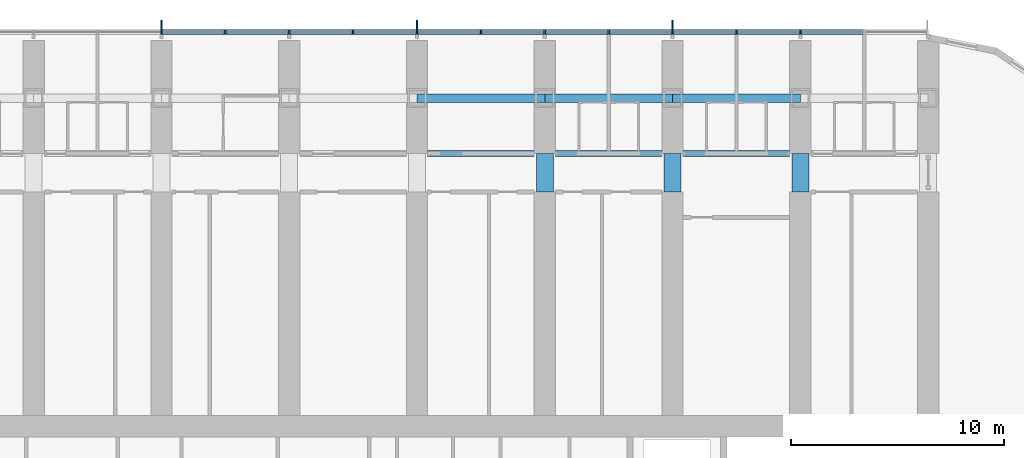
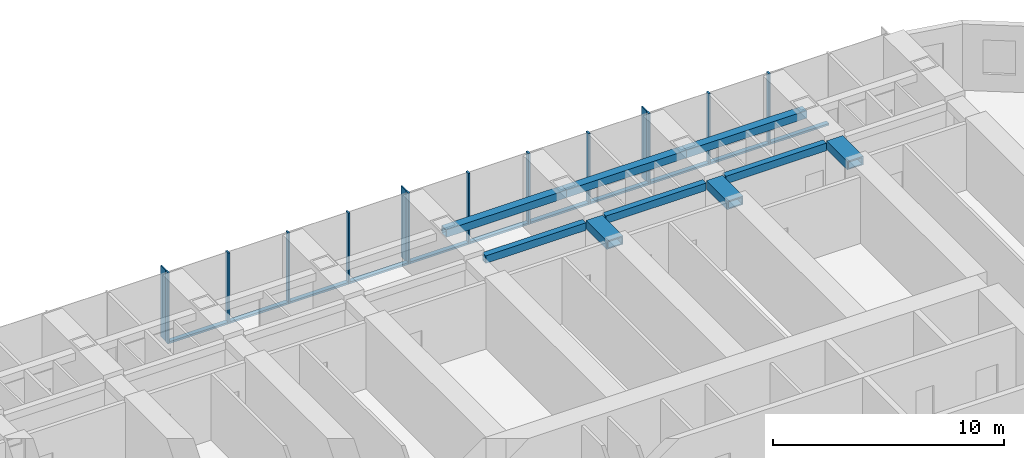
# One storey, part 5 of 25: 25 members, 9 beams, 1 element without a shape of its own.
"""IFC4 building model written with IfcOpenShell, lengths in metres."""

from ifc_helpers import new_model, si_unit, direction, frame, origin, origin_2d, place, context, subcontext, project, spatial, rectangle, hollow_rectangle, extrude, material, material_profile, profile_set, type_object, element, aggregate, save


model = new_model("IFC4")

# Units and contexts
model_context = context("Model", 3, precision=1e-05, world=origin(), true_north=direction((0.0, 1.0)))
body_context = subcontext(model_context, "Body", "Model", "MODEL_VIEW")
ifc_project = project(units=[si_unit("LENGTHUNIT", "METRE"), si_unit("AREAUNIT", "SQUARE_METRE"), si_unit("VOLUMEUNIT", "CUBIC_METRE"), si_unit("PLANEANGLEUNIT", "RADIAN"), si_unit("MASSUNIT", "GRAM", prefix="KILO")], contexts=[model_context])

# Site, building, storey
site_placement = place(None, origin())
site = spatial("IfcSite", under=ifc_project, at=site_placement, CompositionType="ELEMENT")
building_placement = place(site_placement, origin())
building = spatial("IfcBuilding", under=site, at=building_placement, Name="Orbita Commons", CompositionType="ELEMENT")
storey_placement = place(building_placement, frame((0.0, 0.0, 31.449951171875)))
storey = spatial("IfcBuildingStorey", under=building, at=storey_placement, Name="L07", CompositionType="ELEMENT", Elevation=31.449951171875)

# Curtain wall, members
ifc_material_1 = material(Name="Anodised aluminium frame, pale silver", Category="aluminium")
curtain_wall_type = type_object("IfcCurtainWallType", Name="Unitised curtain wall CW-T, vision and spandrel", PredefinedType="NOTDEFINED", material=ifc_material_1)
curtain_wall_placement = place(storey_placement, origin())
curtain_wall = element("IfcCurtainWall", 1, at=curtain_wall_placement, inside=storey, type_object=curtain_wall_type, Name="Curtain wall north L07", PredefinedType="NOTDEFINED")
ifc_material_2 = material(Name="Anodised aluminium, pale silver", Category="aluminium")
ifc_material_profile_1 = material_profile(ifc_material_2, rectangle(XDim=0.080078125, YDim=0.219970703125, at=origin_2d()), Name="AL 80x220")
ifc_profile_set_1 = profile_set([ifc_material_profile_1], Name="Anodised aluminium, pale silver")
member_type_1 = type_object("IfcMemberType", Name="Curtain wall mullion 80x220", PredefinedType="MULLION", material=ifc_profile_set_1)
member_1_placement = place(storey_placement, frame((66.0, 56.7099609375, -0.25), z_axis=(0.0, 0.0, 1.0), x_axis=(-1.0, 0.0, 0.0)))
member_1 = element("IfcMember", 2, at=member_1_placement, type_object=member_type_1, Name="Mullion 3 CW-L07-N", PredefinedType="MULLION", context=body_context, shape_type="SweptSolid", body=[
    extrude(rectangle(XDim=0.080078125, YDim=0.219970703125, at=origin_2d()), origin(), (0.0, 0.0, 1.0), 3.75),
])
member_2_placement = place(storey_placement, frame((63.0, 56.7099609375, -0.25), z_axis=(0.0, 0.0, 1.0), x_axis=(-1.0, 0.0, 0.0)))
member_2 = element("IfcMember", 3, at=member_2_placement, type_object=member_type_1, Name="Mullion 4 CW-L07-N", PredefinedType="MULLION", context=body_context, shape_type="SweptSolid", body=[
    extrude(rectangle(XDim=0.080078125, YDim=0.219970703125, at=origin_2d()), origin(), (0.0, 0.0, 1.0), 3.75),
])
member_3_placement = place(storey_placement, frame((60.0, 56.7099609375, -0.25), z_axis=(0.0, 0.0, 1.0), x_axis=(-1.0, 0.0, 0.0)))
member_3 = element("IfcMember", 4, at=member_3_placement, type_object=member_type_1, Name="Mullion 5 CW-L07-N", PredefinedType="MULLION", context=body_context, shape_type="SweptSolid", body=[
    extrude(rectangle(XDim=0.080078125, YDim=0.219970703125, at=origin_2d()), origin(), (0.0, 0.0, 1.0), 3.75),
])
member_4_placement = place(storey_placement, frame((57.0, 56.7099609375, -0.25), z_axis=(0.0, 0.0, 1.0), x_axis=(-1.0, 0.0, 0.0)))
member_4 = element("IfcMember", 5, at=member_4_placement, type_object=member_type_1, Name="Mullion 6 CW-L07-N", PredefinedType="MULLION", context=body_context, shape_type="SweptSolid", body=[
    extrude(rectangle(XDim=0.080078125, YDim=0.219970703125, at=origin_2d()), origin(), (0.0, 0.0, 1.0), 3.75),
])
member_5_placement = place(storey_placement, frame((54.0, 56.7099609375, -0.25), z_axis=(0.0, 0.0, 1.0), x_axis=(-1.0, 0.0, 0.0)))
member_5 = element("IfcMember", 6, at=member_5_placement, type_object=member_type_1, Name="Mullion 7 CW-L07-N", PredefinedType="MULLION", context=body_context, shape_type="SweptSolid", body=[
    extrude(rectangle(XDim=0.080078125, YDim=0.219970703125, at=origin_2d()), origin(), (0.0, 0.0, 1.0), 3.75),
])
member_6_placement = place(storey_placement, frame((51.0, 56.7099609375, -0.25), z_axis=(0.0, 0.0, 1.0), x_axis=(-1.0, 0.0, 0.0)))
member_6 = element("IfcMember", 7, at=member_6_placement, type_object=member_type_1, Name="Mullion 8 CW-L07-N", PredefinedType="MULLION", context=body_context, shape_type="SweptSolid", body=[
    extrude(rectangle(XDim=0.080078125, YDim=0.219970703125, at=origin_2d()), origin(), (0.0, 0.0, 1.0), 3.75),
])
member_7_placement = place(storey_placement, frame((48.0, 56.7099609375, -0.25), z_axis=(0.0, 0.0, 1.0), x_axis=(-1.0, 0.0, 0.0)))
member_7 = element("IfcMember", 8, at=member_7_placement, type_object=member_type_1, Name="Mullion 9 CW-L07-N", PredefinedType="MULLION", context=body_context, shape_type="SweptSolid", body=[
    extrude(rectangle(XDim=0.080078125, YDim=0.219970703125, at=origin_2d()), origin(), (0.0, 0.0, 1.0), 3.75),
])
member_8_placement = place(storey_placement, frame((45.0, 56.7099609375, -0.25), z_axis=(0.0, 0.0, 1.0), x_axis=(-1.0, 0.0, 0.0)))
member_8 = element("IfcMember", 9, at=member_8_placement, type_object=member_type_1, Name="Mullion 10 CW-L07-N", PredefinedType="MULLION", context=body_context, shape_type="SweptSolid", body=[
    extrude(rectangle(XDim=0.080078125, YDim=0.219970703125, at=origin_2d()), origin(), (0.0, 0.0, 1.0), 3.75),
])
member_9_placement = place(storey_placement, frame((42.0, 56.7099609375, -0.25), z_axis=(0.0, 0.0, 1.0), x_axis=(-1.0, 0.0, 0.0)))
member_9 = element("IfcMember", 10, at=member_9_placement, type_object=member_type_1, Name="Mullion 11 CW-L07-N", PredefinedType="MULLION", context=body_context, shape_type="SweptSolid", body=[
    extrude(rectangle(XDim=0.080078125, YDim=0.219970703125, at=origin_2d()), origin(), (0.0, 0.0, 1.0), 3.75),
])
member_10_placement = place(storey_placement, frame((39.0, 56.7099609375, -0.25), z_axis=(0.0, 0.0, 1.0), x_axis=(-1.0, 0.0, 0.0)))
member_10 = element("IfcMember", 11, at=member_10_placement, type_object=member_type_1, Name="Mullion 12 CW-L07-N", PredefinedType="MULLION", context=body_context, shape_type="SweptSolid", body=[
    extrude(rectangle(XDim=0.080078125, YDim=0.219970703125, at=origin_2d()), origin(), (0.0, 0.0, 1.0), 3.75),
])
member_11_placement = place(storey_placement, frame((36.0, 56.7099609375, -0.25), z_axis=(0.0, 0.0, 1.0), x_axis=(-1.0, 0.0, 0.0)))
member_11 = element("IfcMember", 12, at=member_11_placement, type_object=member_type_1, Name="Mullion 13 CW-L07-N", PredefinedType="MULLION", context=body_context, shape_type="SweptSolid", body=[
    extrude(rectangle(XDim=0.080078125, YDim=0.219970703125, at=origin_2d()), origin(), (0.0, 0.0, 1.0), 3.75),
])
ifc_material_3 = material(Name="Anodised aluminium, pale silver", Category="aluminium")
ifc_material_profile_2 = material_profile(ifc_material_3, rectangle(XDim=0.219970703125, YDim=0.10009765625, at=origin_2d()), Name="AL 220x100")
ifc_profile_set_2 = profile_set([ifc_material_profile_2], Name="Anodised aluminium, pale silver")
member_type_2 = type_object("IfcMemberType", Name="Curtain wall stack transom 220x100", PredefinedType="USERDEFINED", material=ifc_profile_set_2)
member_12_placement = place(storey_placement, frame((68.9599609375, 56.7099609375, -0.199951171875), z_axis=(-1.0, 0.0, 0.0), x_axis=(0.0, -1.0, 0.0)))
member_12 = element("IfcMember", 13, at=member_12_placement, type_object=member_type_2, Name="Transom 2.1 CW-L07-N", ObjectType="TRANSOM", PredefinedType="USERDEFINED", context=body_context, shape_type="SweptSolid", body=[
    extrude(rectangle(XDim=0.219970703125, YDim=0.10009765625, at=origin_2d()), origin(), (0.0, 0.0, 1.0), 2.919921875),
])
member_13_placement = place(storey_placement, frame((65.9599609375, 56.7099609375, -0.199951171875), z_axis=(-1.0, 0.0, 0.0), x_axis=(0.0, -1.0, 0.0)))
member_13 = element("IfcMember", 14, at=member_13_placement, type_object=member_type_2, Name="Transom 3.1 CW-L07-N", ObjectType="TRANSOM", PredefinedType="USERDEFINED", context=body_context, shape_type="SweptSolid", body=[
    extrude(rectangle(XDim=0.219970703125, YDim=0.10009765625, at=origin_2d()), origin(), (0.0, 0.0, 1.0), 2.919921875),
])
member_14_placement = place(storey_placement, frame((62.9599609375, 56.7099609375, -0.199951171875), z_axis=(-1.0, 0.0, 0.0), x_axis=(0.0, -1.0, 0.0)))
member_14 = element("IfcMember", 15, at=member_14_placement, type_object=member_type_2, Name="Transom 4.1 CW-L07-N", ObjectType="TRANSOM", PredefinedType="USERDEFINED", context=body_context, shape_type="SweptSolid", body=[
    extrude(rectangle(XDim=0.219970703125, YDim=0.10009765625, at=origin_2d()), origin(), (0.0, 0.0, 1.0), 2.919921875),
])
member_15_placement = place(storey_placement, frame((59.9599609375, 56.7099609375, -0.199951171875), z_axis=(-1.0, 0.0, 0.0), x_axis=(0.0, -1.0, 0.0)))
member_15 = element("IfcMember", 16, at=member_15_placement, type_object=member_type_2, Name="Transom 5.1 CW-L07-N", ObjectType="TRANSOM", PredefinedType="USERDEFINED", context=body_context, shape_type="SweptSolid", body=[
    extrude(rectangle(XDim=0.219970703125, YDim=0.10009765625, at=origin_2d()), origin(), (0.0, 0.0, 1.0), 2.919921875),
])
member_16_placement = place(storey_placement, frame((56.9599609375, 56.7099609375, -0.199951171875), z_axis=(-1.0, 0.0, 0.0), x_axis=(0.0, -1.0, 0.0)))
member_16 = element("IfcMember", 17, at=member_16_placement, type_object=member_type_2, Name="Transom 6.1 CW-L07-N", ObjectType="TRANSOM", PredefinedType="USERDEFINED", context=body_context, shape_type="SweptSolid", body=[
    extrude(rectangle(XDim=0.219970703125, YDim=0.10009765625, at=origin_2d()), origin(), (0.0, 0.0, 1.0), 2.919921875),
])
member_17_placement = place(storey_placement, frame((53.9599609375, 56.7099609375, -0.199951171875), z_axis=(-1.0, 0.0, 0.0), x_axis=(0.0, -1.0, 0.0)))
member_17 = element("IfcMember", 18, at=member_17_placement, type_object=member_type_2, Name="Transom 7.1 CW-L07-N", ObjectType="TRANSOM", PredefinedType="USERDEFINED", context=body_context, shape_type="SweptSolid", body=[
    extrude(rectangle(XDim=0.219970703125, YDim=0.10009765625, at=origin_2d()), origin(), (0.0, 0.0, 1.0), 2.919921875),
])
member_18_placement = place(storey_placement, frame((50.9599609375, 56.7099609375, -0.199951171875), z_axis=(-1.0, 0.0, 0.0), x_axis=(0.0, -1.0, 0.0)))
member_18 = element("IfcMember", 19, at=member_18_placement, type_object=member_type_2, Name="Transom 8.1 CW-L07-N", ObjectType="TRANSOM", PredefinedType="USERDEFINED", context=body_context, shape_type="SweptSolid", body=[
    extrude(rectangle(XDim=0.219970703125, YDim=0.10009765625, at=origin_2d()), origin(), (0.0, 0.0, 1.0), 2.919921875),
])
member_19_placement = place(storey_placement, frame((47.9599609375, 56.7099609375, -0.199951171875), z_axis=(-1.0, 0.0, 0.0), x_axis=(0.0, -1.0, 0.0)))
member_19 = element("IfcMember", 20, at=member_19_placement, type_object=member_type_2, Name="Transom 9.1 CW-L07-N", ObjectType="TRANSOM", PredefinedType="USERDEFINED", context=body_context, shape_type="SweptSolid", body=[
    extrude(rectangle(XDim=0.219970703125, YDim=0.10009765625, at=origin_2d()), origin(), (0.0, 0.0, 1.0), 2.919921875),
])
member_20_placement = place(storey_placement, frame((44.9599609375, 56.7099609375, -0.199951171875), z_axis=(-1.0, 0.0, 0.0), x_axis=(0.0, -1.0, 0.0)))
member_20 = element("IfcMember", 21, at=member_20_placement, type_object=member_type_2, Name="Transom 10.1 CW-L07-N", ObjectType="TRANSOM", PredefinedType="USERDEFINED", context=body_context, shape_type="SweptSolid", body=[
    extrude(rectangle(XDim=0.219970703125, YDim=0.10009765625, at=origin_2d()), origin(), (0.0, 0.0, 1.0), 2.919921875),
])
member_21_placement = place(storey_placement, frame((41.9599609375, 56.7099609375, -0.199951171875), z_axis=(-1.0, 0.0, 0.0), x_axis=(0.0, -1.0, 0.0)))
member_21 = element("IfcMember", 22, at=member_21_placement, type_object=member_type_2, Name="Transom 11.1 CW-L07-N", ObjectType="TRANSOM", PredefinedType="USERDEFINED", context=body_context, shape_type="SweptSolid", body=[
    extrude(rectangle(XDim=0.219970703125, YDim=0.10009765625, at=origin_2d()), origin(), (0.0, 0.0, 1.0), 2.919921875),
])
member_22_placement = place(storey_placement, frame((38.9599609375, 56.7099609375, -0.199951171875), z_axis=(-1.0, 0.0, 0.0), x_axis=(0.0, -1.0, 0.0)))
member_22 = element("IfcMember", 23, at=member_22_placement, type_object=member_type_2, Name="Transom 12.1 CW-L07-N", ObjectType="TRANSOM", PredefinedType="USERDEFINED", context=body_context, shape_type="SweptSolid", body=[
    extrude(rectangle(XDim=0.219970703125, YDim=0.10009765625, at=origin_2d()), origin(), (0.0, 0.0, 1.0), 2.919921875),
])

# Beams
ifc_material_4 = material(Name="Steel ASTM A572 Gr 50 welded plate", Category="steel")
ifc_material_profile_3 = material_profile(ifc_material_4, hollow_rectangle(XDim=0.300048828125, YDim=0.39990234375, WallThickness=0.0400390625, at=origin_2d()), Name="BOX 400x300x40")
ifc_profile_set_3 = profile_set([ifc_material_profile_3], Name="Steel ASTM A572 Gr 50 welded plate")
beam_type_1 = type_object("IfcBeamType", Name="Steel corridor link BOX 400x300x40", PredefinedType="BEAM", material=ifc_profile_set_3)
for number, where, z_axis, x_axis, name in (
    (24, (48.5, 51.0, 3.300048828125), (1.0, 0.0, 0.0), (0.0, 1.0, 0.0), "Corridor beam NB 9-10 L07"),
    (25, (54.5, 51.0, 3.300048828125), (1.0, 0.0, 0.0), (0.0, 1.0, 0.0), "Corridor beam NB 10-11 L07"),
    (26, (60.5, 51.0, 3.300048828125), (1.0, 0.0, 0.0), (0.0, 1.0, 0.0), "Corridor beam NB 11-12 L07"),
):
    element("IfcBeam", number, at=place(storey_placement, frame(where, z_axis=z_axis, x_axis=x_axis)), inside=storey, type_object=beam_type_1, Name=name, PredefinedType="BEAM", context=body_context, shape_type="SweptSolid", body=[
        extrude(hollow_rectangle(XDim=0.300048828125, YDim=0.39990234375, WallThickness=0.0400390625, at=origin_2d()), origin(), (0.0, 0.0, 1.0), 5.0),
    ])
ifc_material_5 = material(Name="Steel ASTM A572 Gr 50 welded plate", Category="steel")
ifc_material_profile_4 = material_profile(ifc_material_5, hollow_rectangle(XDim=0.800048828125, YDim=0.449951171875, WallThickness=0.06005859375, at=origin_2d()), Name="BOX 450x800x60")
ifc_profile_set_4 = profile_set([ifc_material_profile_4], Name="Steel ASTM A572 Gr 50 welded plate")
beam_type_2 = type_object("IfcBeamType", Name="Steel coupling link BOX 450x800x60", PredefinedType="LINTEL", material=ifc_profile_set_4)
for number, where, z_axis, x_axis, name in (
    (27, (54.0, 49.199951171875, 3.275146484375), (0.0, 1.0, 0.0), (-1.0, 0.0, 0.0), "Coupling beam 10 north L07"),
    (28, (60.0, 49.199951171875, 3.275146484375), (0.0, 1.0, 0.0), (-1.0, 0.0, 0.0), "Coupling beam 11 north L07"),
    (29, (66.0, 49.199951171875, 3.275146484375), (0.0, 1.0, 0.0), (-1.0, 0.0, 0.0), "Coupling beam 12 north L07"),
):
    element("IfcBeam", number, at=place(storey_placement, frame(where, z_axis=z_axis, x_axis=x_axis)), inside=storey, type_object=beam_type_2, Name=name, PredefinedType="LINTEL", context=body_context, shape_type="SweptSolid", body=[
        extrude(hollow_rectangle(XDim=0.800048828125, YDim=0.449951171875, WallThickness=0.06005859375, at=origin_2d()), origin(), (0.0, 0.0, 1.0), 1.800048828125),
    ])
ifc_material_6 = material(Name="Steel ASTM A572 Gr 50 welded plate", Category="steel")
ifc_material_profile_5 = material_profile(ifc_material_6, hollow_rectangle(XDim=0.39990234375, YDim=0.39990234375, WallThickness=0.0400390625, at=origin_2d()), Name="BOX 400x400x40")
ifc_profile_set_5 = profile_set([ifc_material_profile_5], Name="Steel ASTM A572 Gr 50 welded plate")
beam_type_3 = type_object("IfcBeamType", Name="Steel spandrel BOX 400x400x40", PredefinedType="SPANDREL", material=ifc_profile_set_5)
for number, where, z_axis, x_axis, name in (
    (30, (48.0, 53.60009765625, 3.300048828125), (1.0, 0.0, 0.0), (0.0, 1.0, 0.0), "Spandrel beam E 9-10 L07"),
    (31, (54.0, 53.60009765625, 3.300048828125), (1.0, 0.0, 0.0), (0.0, 1.0, 0.0), "Spandrel beam E 10-11 L07"),
    (32, (60.0, 53.60009765625, 3.300048828125), (1.0, 0.0, 0.0), (0.0, 1.0, 0.0), "Spandrel beam E 11-12 L07"),
):
    element("IfcBeam", number, at=place(storey_placement, frame(where, z_axis=z_axis, x_axis=x_axis)), inside=storey, type_object=beam_type_3, Name=name, PredefinedType="SPANDREL", context=body_context, shape_type="SweptSolid", body=[
        extrude(hollow_rectangle(XDim=0.39990234375, YDim=0.39990234375, WallThickness=0.0400390625, at=origin_2d()), origin(), (0.0, 0.0, 1.0), 6.0),
    ])

# Member
ifc_material_7 = material(Name="Anodised aluminium, pale silver", Category="aluminium")
ifc_material_profile_6 = material_profile(ifc_material_7, rectangle(XDim=0.06005859375, YDim=0.449951171875, at=origin_2d()), Name="FIN 60x450")
ifc_profile_set_6 = profile_set([ifc_material_profile_6], Name="Anodised aluminium, pale silver")
member_type_3 = type_object("IfcMemberType", Name="Vertical fin 60x450 pale aluminium", PredefinedType="USERDEFINED", material=ifc_profile_set_6)
member_23_placement = place(storey_placement, frame((60.0, 57.044921875, -0.25), z_axis=(0.0, 0.0, 1.0), x_axis=(-1.0, 0.0, 0.0)))
member_23 = element("IfcMember", 33, at=member_23_placement, type_object=member_type_3, Name="Fin 5 CW-L07-N", ObjectType="FIN", PredefinedType="USERDEFINED", context=body_context, shape_type="SweptSolid", body=[
    extrude(rectangle(XDim=0.06005859375, YDim=0.449951171875, at=origin_2d()), origin(), (0.0, 0.0, 1.0), 3.75),
])

member_24_placement = place(storey_placement, frame((48.0, 57.044921875, -0.25), z_axis=(0.0, 0.0, 1.0), x_axis=(-1.0, 0.0, 0.0)))
member_24 = element("IfcMember", 34, at=member_24_placement, type_object=member_type_3, Name="Fin 9 CW-L07-N", ObjectType="FIN", PredefinedType="USERDEFINED", context=body_context, shape_type="SweptSolid", body=[
    extrude(rectangle(XDim=0.06005859375, YDim=0.449951171875, at=origin_2d()), origin(), (0.0, 0.0, 1.0), 3.75),
])

member_25_placement = place(storey_placement, frame((36.0, 57.044921875, -0.25), z_axis=(0.0, 0.0, 1.0), x_axis=(-1.0, 0.0, 0.0)))
member_25 = element("IfcMember", 35, at=member_25_placement, type_object=member_type_3, Name="Fin 13 CW-L07-N", ObjectType="FIN", PredefinedType="USERDEFINED", context=body_context, shape_type="SweptSolid", body=[
    extrude(rectangle(XDim=0.06005859375, YDim=0.449951171875, at=origin_2d()), origin(), (0.0, 0.0, 1.0), 3.75),
])

aggregate(curtain_wall, [member_1, member_2, member_3, member_23, member_4, member_5, member_6, member_7, member_24, member_8, member_9, member_10, member_11, member_25, member_12, member_13, member_14, member_15, member_16, member_17, member_18, member_19, member_20, member_21, member_22])

save(model, "model.ifc")
